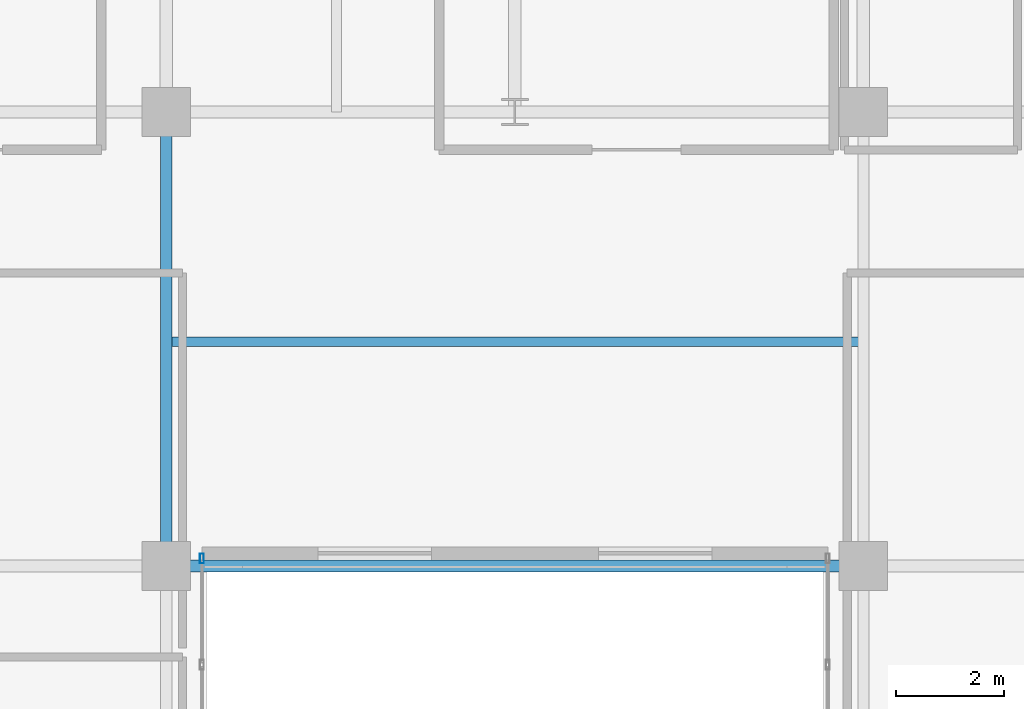
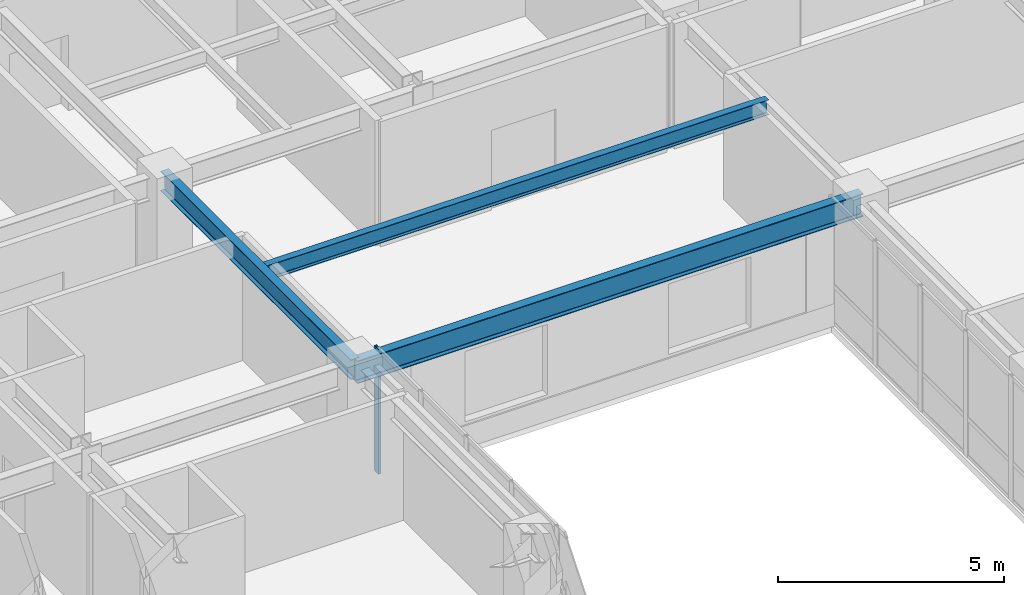
# One storey, part 5 of 24: 3 beams, 1 member, 1 element without a shape of its own.
"""IFC4 building model written with IfcOpenShell, lengths in metres."""

from ifc_helpers import new_model, si_unit, direction, frame, origin, origin_2d, place, context, subcontext, project, spatial, hollow_rectangle, i_section, extrude, source, transform, mapped, material, layer, layer_set, material_profile, profile_set, type_object, type_shapes, element, aggregate, save


model = new_model("IFC4")

# Units and contexts
model_context = context("Model", 3, precision=1e-05, world=origin(), true_north=direction((0.0, 1.0)))
body_context = subcontext(model_context, "Body", "Model", "MODEL_VIEW")
ifc_project = project(units=[si_unit("LENGTHUNIT", "METRE"), si_unit("AREAUNIT", "SQUARE_METRE"), si_unit("VOLUMEUNIT", "CUBIC_METRE"), si_unit("PLANEANGLEUNIT", "RADIAN"), si_unit("MASSUNIT", "GRAM", prefix="KILO")], contexts=[model_context])

# Site, building, storey
site_placement = place(None, origin())
site = spatial("IfcSite", under=ifc_project, at=site_placement, CompositionType="ELEMENT")
building_placement = place(site_placement, origin())
building = spatial("IfcBuilding", under=site, at=building_placement, Name="Tolvann Quenvar Hotel", CompositionType="ELEMENT")
storey_placement = place(building_placement, frame((0.0, 0.0, 139.949951171875)))
storey = spatial("IfcBuildingStorey", under=building, at=storey_placement, Name="L36", CompositionType="ELEMENT", Elevation=139.949951171875)

# Beams
ifc_material_1 = material(Name="Steel Grade 350", Category="steel")
ifc_material_profile_1 = material_profile(ifc_material_1, i_section(OverallWidth=0.22900390625, OverallDepth=0.612060546875, WebThickness=0.011962890625, FlangeThickness=0.01953125, FilletRadius=0.013916015625, at=origin_2d()), Name="610UB125")
ifc_profile_set_1 = profile_set([ifc_material_profile_1], Name="Steel Grade 350")
beam_type_1 = type_object("IfcBeamType", Name="BM_GIRD_610UB125", PredefinedType="BEAM", material=ifc_profile_set_1)
shared_shape_1 = source(origin(), body_context, "Body", "SweptSolid", [
    extrude(i_section(OverallWidth=0.22900390625, OverallDepth=0.612060546875, WebThickness=0.011962890625, FlangeThickness=0.01953125, FilletRadius=0.013916015625, at=origin_2d()), origin(), (0.0, 0.0, 1.0), 12.89990234375),
])
type_shapes(beam_type_1, [shared_shape_1])
beam_1_placement = place(storey_placement, frame((22.050048828125, 16.0, 3.06396484375), z_axis=(1.0, 0.0, 0.0), x_axis=(0.0, 1.0, 0.0)))
element("IfcBeam", 1, at=beam_1_placement, inside=storey, type_object=beam_type_1, Name="BM-L36-EW-4-E4-F4", PredefinedType="BEAM", context=body_context, shape_type="MappedRepresentation", body=[
    mapped(shared_shape_1, transform((0.0, 0.0, 0.0), x_axis=(1.0, 0.0, 0.0), y_axis=(0.0, 1.0, 0.0), z_axis=(0.0, 0.0, 1.0), scale=1.0)),
])
ifc_material_profile_2 = material_profile(ifc_material_1, i_section(OverallWidth=0.208984375, OverallDepth=0.532958984375, WebThickness=0.01025390625, FlangeThickness=0.015625, FilletRadius=0.013916015625, at=origin_2d()), Name="530UB92")
ifc_profile_set_2 = profile_set([ifc_material_profile_2], Name="Steel Grade 350")
beam_type_2 = type_object("IfcBeamType", Name="BM_GIRD_530UB92", PredefinedType="BEAM", material=ifc_profile_set_2)
shared_shape_2 = source(origin(), body_context, "Body", "SweptSolid", [
    extrude(i_section(OverallWidth=0.208984375, OverallDepth=0.532958984375, WebThickness=0.01025390625, FlangeThickness=0.015625, FilletRadius=0.013916015625, at=origin_2d()), origin(), (0.0, 0.0, 1.0), 8.39990234375),
])
type_shapes(beam_type_2, [shared_shape_2])
beam_2_placement = place(storey_placement, frame((22.050048828125, 16.0, 3.103515625), z_axis=(0.0, 1.0, 0.0), x_axis=(-1.0, 0.0, 0.0)))
element("IfcBeam", 2, at=beam_2_placement, inside=storey, type_object=beam_type_2, Name="BM-L36-NS-E4-E5", PredefinedType="BEAM", context=body_context, shape_type="MappedRepresentation", body=[
    mapped(shared_shape_2, transform((0.0, 0.0, 0.0), x_axis=(1.0, 0.0, 0.0), y_axis=(0.0, 1.0, 0.0), z_axis=(0.0, 0.0, 1.0), scale=1.0)),
])
ifc_material_profile_3 = material_profile(ifc_material_1, i_section(OverallWidth=0.177978515625, OverallDepth=0.406005859375, WebThickness=0.0078125, FlangeThickness=0.0126953125, FilletRadius=0.011474609375, at=origin_2d()), Name="410UB60")
ifc_profile_set_3 = profile_set([ifc_material_profile_3], Name="Steel Grade 350")
beam_type_3 = type_object("IfcBeamType", Name="BM_JOIST_410UB60", PredefinedType="JOIST", material=ifc_profile_set_3)
shared_shape_3 = source(origin(), body_context, "Body", "SweptSolid", [
    extrude(i_section(OverallWidth=0.177978515625, OverallDepth=0.406005859375, WebThickness=0.0078125, FlangeThickness=0.0126953125, FilletRadius=0.011474609375, at=origin_2d()), origin(), (0.0, 0.0, 1.0), 12.89990234375),
])
type_shapes(beam_type_3, [shared_shape_3])
beam_3_placement = place(storey_placement, frame((22.050048828125, 20.14990234375, 3.1669921875), z_axis=(1.0, 0.0, 0.0), x_axis=(0.0, 1.0, 0.0)))
element("IfcBeam", 3, at=beam_3_placement, inside=storey, type_object=beam_type_3, Name="BM-L36-SPINE-20", PredefinedType="JOIST", context=body_context, shape_type="MappedRepresentation", body=[
    mapped(shared_shape_3, transform((0.0, 0.0, 0.0), x_axis=(1.0, 0.0, 0.0), y_axis=(0.0, 1.0, 0.0), z_axis=(0.0, 0.0, 1.0), scale=1.0)),
])

# Curtain wall, member
ifc_material_2 = material(Name="Thermally broken anodised architectural aluminium 6063-T6 and laminated low-E glass", Category="aluminium")
ifc_layer = layer(ifc_material_2, 0.179931640625)
ifc_layer_set = layer_set([ifc_layer], Name="Thermally broken anodised architectural aluminium 6063-T6 and laminated low-E glass")
curtain_wall_type = type_object("IfcCurtainWallType", Name="CW_SYS_SLOT_03", PredefinedType="USERDEFINED", material=ifc_layer_set)
curtain_wall_placement = place(storey_placement, origin())
curtain_wall = element("IfcCurtainWall", 4, at=curtain_wall_placement, inside=storey, type_object=curtain_wall_type, Name="Curtain Wall CW-SLOT-03 (CWR-L36-E05)", ObjectType="UNITISED CURTAIN WALL", PredefinedType="USERDEFINED")
ifc_material_3 = material(Name="Anodised architectural aluminium 6063-T6 framing", Category="aluminium")
ifc_material_profile_4 = material_profile(ifc_material_3, hollow_rectangle(XDim=0.070068359375, YDim=0.179931640625, WallThickness=0.00390625, at=origin_2d()), Name="180x70x4RHS")
ifc_profile_set_4 = profile_set([ifc_material_profile_4], Name="Anodised architectural aluminium 6063-T6 framing")
member_type = type_object("IfcMemberType", Name="CW_MULL_180x70", PredefinedType="MULLION", material=ifc_profile_set_4)
shared_shape_4 = source(origin(), body_context, "Body", "SweptSolid", [
    extrude(hollow_rectangle(XDim=0.070068359375, YDim=0.179931640625, WallThickness=0.00390625, at=origin_2d()), origin(), (0.0, 0.0, 1.0), 3.3701171875),
])
type_shapes(member_type, [shared_shape_4])
member_placement = place(storey_placement, frame((22.7099609375, 16.139892578125, 0.0), z_axis=(0.0, 0.0, 1.0), x_axis=(-1.0, 0.0, 0.0)))
member = element("IfcMember", 5, at=member_placement, type_object=member_type, Name="CW-SLOT-03 mullion 9", PredefinedType="MULLION", context=body_context, shape_type="MappedRepresentation", body=[
    mapped(shared_shape_4, transform((0.0, 0.0, 0.0), x_axis=(1.0, 0.0, 0.0), y_axis=(0.0, 1.0, 0.0), z_axis=(0.0, 0.0, 1.0), scale=1.0)),
])
aggregate(curtain_wall, [member])

save(model, "model.ifc")
